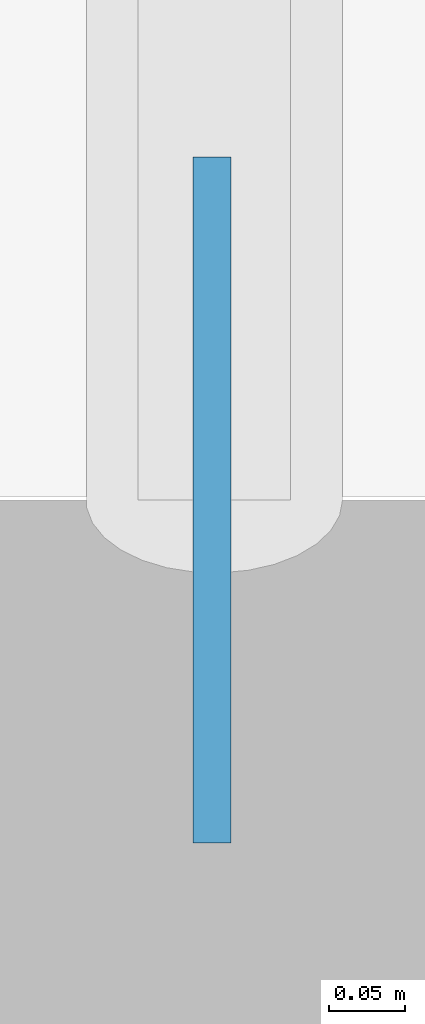
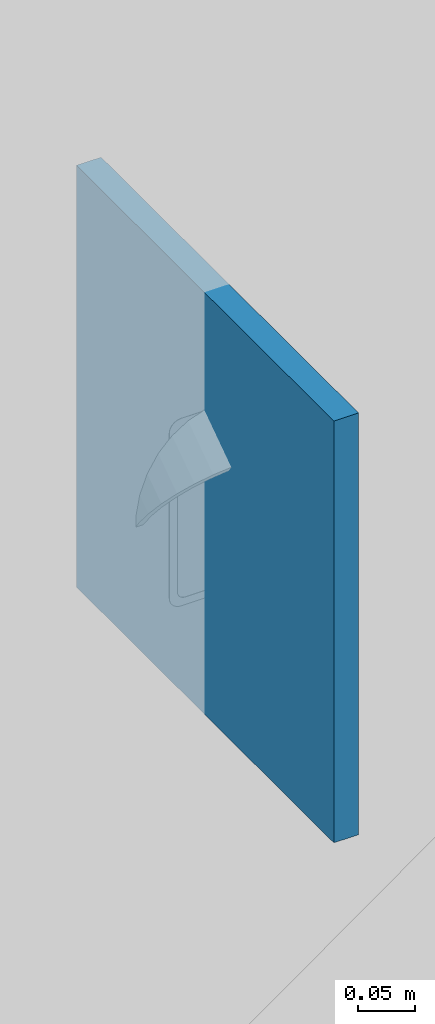
# One storey, part 23 of 40: 1 discrete accessory.
"""IFC4 building model written with IfcOpenShell, lengths in metres."""

import ifcopenshell
import ifcopenshell.guid

model = None  # the IFC model being written
_history = None  # IfcOwnerHistory: only IFC2X3 demands one
_inside = {}  # id of a spatial element -> (the spatial element, [elements in it])
_under = {}  # id of a project, library or spatial element -> (it, [spatial elements below it])
_declared = {}  # id of a project -> (the project, [libraries it declares])
_typed = {}  # id of a type object -> (the type object, [elements of that type])
_made_of = {}  # id of a material, layer set ... -> (it, [elements and type objects made of it])


def new_model(schema):
    """Start an empty IFC model of exactly this schema.

    Asked for "IFC4X3", IfcOpenShell would pick the latest addendum, in which some entities
    have other attributes; the version numbers below select the first issue.
    IFC2X3 requires an IfcOwnerHistory on every rooted entity: one is made here for all.
    """
    global model, _history
    if schema == "IFC4X3":
        model = ifcopenshell.file(schema_version=(4, 3, 0, 0))
    else:
        model = ifcopenshell.file(schema=schema)
    _inside.clear()
    _under.clear()
    _declared.clear()
    _typed.clear()
    _made_of.clear()
    _history = None
    if model.schema == "IFC2X3":
        org = make("IfcOrganization", Name="unknown")
        user = make(
            "IfcPersonAndOrganization",
            ThePerson=make("IfcPerson", FamilyName="unknown"),
            TheOrganization=org,
        )
        app = make(
            "IfcApplication",
            ApplicationDeveloper=org,
            Version="unknown",
            ApplicationFullName="unknown",
            ApplicationIdentifier="unknown",
        )
        _history = make(
            "IfcOwnerHistory",
            OwningUser=user,
            OwningApplication=app,
            ChangeAction="ADDED",
            CreationDate=0,
        )
    return model


def make(cls, **values):
    """One entity of the class cls with the attributes given. An attribute that is None is left unset."""
    return model.create_entity(
        cls, **{name: value for name, value in values.items() if value is not None}
    )


def rooted(cls, **values):
    """An entity with a GlobalId (a new one), such as an element, a storey or a relation."""
    return make(cls, GlobalId=ifcopenshell.guid.new(), OwnerHistory=_history, **values)


def si_unit(unit_type, name, prefix=None):
    """IfcSIUnit, for example si_unit("LENGTHUNIT", "METRE", prefix="MILLI")."""
    return make("IfcSIUnit", UnitType=unit_type, Prefix=prefix, Name=name)


def assignment(units):
    """IfcUnitAssignment: the units of a project."""
    return None if units is None else make("IfcUnitAssignment", Units=units)


def point(xyz):
    """IfcCartesianPoint."""
    return None if xyz is None else make("IfcCartesianPoint", Coordinates=xyz)


def direction(xyz):
    """IfcDirection."""
    return None if xyz is None else make("IfcDirection", DirectionRatios=xyz)


def frame(location, z_axis=None, x_axis=None):
    """IfcAxis2Placement3D, a coordinate frame: its origin and axes. An axis left out is left unset."""
    return make(
        "IfcAxis2Placement3D",
        Location=point(location),
        Axis=direction(z_axis),
        RefDirection=direction(x_axis),
    )


def frame_2d(location, x_axis=None):
    """IfcAxis2Placement2D, a coordinate frame in the plane: its origin and x axis."""
    return make(
        "IfcAxis2Placement2D", Location=point(location), RefDirection=direction(x_axis)
    )


def origin():
    """The frame at (0, 0, 0) with its axes left unset."""
    return frame((0.0, 0.0, 0.0))


def origin_2d():
    """The frame at (0, 0) in the plane with its x axis left unset."""
    return frame_2d((0.0, 0.0))


def place(relative_to, where):
    """IfcLocalPlacement: puts the frame where relative to a parent placement (None: the world)."""
    return make(
        "IfcLocalPlacement", PlacementRelTo=relative_to, RelativePlacement=where
    )


def context(
    kind, dimensions, precision=None, world=None, true_north=None, identifier=None
):
    """IfcGeometricRepresentationContext, for example the 3D "Model" context."""
    return make(
        "IfcGeometricRepresentationContext",
        ContextIdentifier=identifier,
        ContextType=kind,
        CoordinateSpaceDimension=dimensions,
        Precision=precision,
        WorldCoordinateSystem=world,
        TrueNorth=true_north,
    )


def subcontext(parent, identifier, kind, view, scale=None):
    """IfcGeometricRepresentationSubContext, for example "Body" below "Model"."""
    return make(
        "IfcGeometricRepresentationSubContext",
        ContextIdentifier=identifier,
        ContextType=kind,
        ParentContext=parent,
        TargetScale=scale,
        TargetView=view,
    )


def project(units=None, contexts=None):
    """IfcProject with its units and contexts."""
    return rooted(
        "IfcProject",
        Name="project",
        RepresentationContexts=contexts,
        UnitsInContext=assignment(units),
    )


def spatial(cls, under=None, at=None, **own):
    """A site, building, storey or space (cls), placed at a placement, below another one or the project."""
    s = rooted(cls, ObjectPlacement=at, **own)
    if under is not None:
        _under.setdefault(under.id(), (under, []))[1].append(s)
    return s


def profile(cls, at=None, kind="AREA", **sizes):
    """A parametric profile (cls). Its sizes go by their IFC names, for example OverallWidth=200.0."""
    return make(cls, ProfileType=kind, Position=at, **sizes)


def rectangle(**sizes):
    """IfcRectangleProfileDef."""
    return profile("IfcRectangleProfileDef", **sizes)


def extrude(swept, where, along, depth):
    """IfcExtrudedAreaSolid: the profile swept, set in the frame where, extruded along a direction by depth."""
    return make(
        "IfcExtrudedAreaSolid",
        SweptArea=swept,
        Position=where,
        ExtrudedDirection=direction(along),
        Depth=depth,
    )


def shape(context_of_items, identifier, shape_type, items):
    """IfcShapeRepresentation: the items that make up one representation, for example the "Body"."""
    return make(
        "IfcShapeRepresentation",
        ContextOfItems=context_of_items,
        RepresentationIdentifier=identifier,
        RepresentationType=shape_type,
        Items=items,
    )


def material(Name=None, Category=None):
    """IfcMaterial."""
    return make("IfcMaterial", Name=Name, Category=Category)


def made_of(thing, what):
    """Note that an element or type object is made of a material, layer set ...; save() writes the relation."""
    if what is not None:
        _made_of.setdefault(what.id(), (what, []))[1].append(thing)
    return thing


def type_object(cls, material=None, **own):
    """A type object (cls), such as IfcWallType, which elements share."""
    return made_of(rooted(cls, **own), material)


def element(
    cls,
    number,
    at=None,
    inside=None,
    cuts=None,
    type_object=None,
    material=None,
    context=None,
    identifier="Body",
    shape_type=None,
    held_by="IfcProductDefinitionShape",
    body=None,
    shapes=None,
    **own,
):
    """One element of the class cls, such as IfcWall. Its Tag is "e" and its number.

    at: its placement. inside: the storey or other place that contains it. cuts: it is an
    opening in that element (IfcRelVoidsElement). A single representation is given by context,
    identifier, shape_type and body (its items); several are given by shapes. held_by: the class
    of the entity that holds the representations. save() writes the other relations.
    """
    e = rooted(cls, Tag="e%d" % number, ObjectPlacement=at, **own)
    if body is not None:
        shapes = [shape(context, identifier, shape_type, body)]
    if shapes is not None:
        e.Representation = make(held_by, Representations=shapes)
    if inside is not None:
        _inside.setdefault(inside.id(), (inside, []))[1].append(e)
    if cuts is not None:
        rooted(
            "IfcRelVoidsElement", RelatingBuildingElement=cuts, RelatedOpeningElement=e
        )
    if type_object is not None:
        _typed.setdefault(type_object.id(), (type_object, []))[1].append(e)
    return made_of(e, material)


def aggregate(whole, parts):
    """IfcRelAggregates: a whole, such as a stair, and the parts it consists of."""
    return rooted("IfcRelAggregates", RelatingObject=whole, RelatedObjects=parts)


def save(model, path):
    """Write the relations noted so far, then the file.

    IfcRelAggregates (storeys below a building ...), IfcRelContainedInSpatialStructure (elements
    in a storey), IfcRelDefinesByType, IfcRelAssociatesMaterial and IfcRelDeclares: one each for
    every whole, place, type object, material and project.
    """
    for whole, parts in _under.values():
        aggregate(whole, parts)
    for where, things in _inside.values():
        rooted(
            "IfcRelContainedInSpatialStructure",
            RelatedElements=things,
            RelatingStructure=where,
        )
    for kind, things in _typed.values():
        rooted("IfcRelDefinesByType", RelatedObjects=things, RelatingType=kind)
    for what, things in _made_of.values():
        rooted("IfcRelAssociatesMaterial", RelatedObjects=things, RelatingMaterial=what)
    for by, libraries in _declared.values():
        rooted("IfcRelDeclares", RelatingContext=by, RelatedDefinitions=libraries)
    model.write(path)


model = new_model("IFC4")

# Units and contexts
model_context = context("Model", 3, precision=1e-05, world=origin(), true_north=direction((0.0, 1.0)))
body_context = subcontext(model_context, "Body", "Model", "MODEL_VIEW")
ifc_project = project(units=[si_unit("LENGTHUNIT", "METRE"), si_unit("AREAUNIT", "SQUARE_METRE"), si_unit("VOLUMEUNIT", "CUBIC_METRE"), si_unit("PLANEANGLEUNIT", "RADIAN"), si_unit("MASSUNIT", "GRAM", prefix="KILO")], contexts=[model_context])

# Site, building, storey
site_placement = place(None, origin())
site = spatial("IfcSite", under=ifc_project, at=site_placement, CompositionType="ELEMENT")
building_placement = place(site_placement, origin())
building = spatial("IfcBuilding", under=site, at=building_placement, Name="Taillehof Tower", CompositionType="ELEMENT")
storey_placement = place(building_placement, frame((0.0, 0.0, 275.199951171875)))
storey = spatial("IfcBuildingStorey", under=building, at=storey_placement, Name="L77", CompositionType="ELEMENT", Elevation=275.199951171875)

# Discrete accessory
ifc_material = material(Name="Steel S460M", Category="steel")
discrete_accessory_type = type_object("IfcDiscreteAccessoryType", Name="Steel gusset plate", PredefinedType="BRACKET", material=ifc_material)
discrete_accessory_placement = place(storey_placement, frame((6.10009765625, 10.0, 3.5751953125), z_axis=(0.0, 0.0, 1.0), x_axis=(0.0, -1.0, 0.0)))
element("IfcDiscreteAccessory", 1, at=discrete_accessory_placement, inside=storey, type_object=discrete_accessory_type, Name="Gusset plate 387", PredefinedType="BRACKET", context=body_context, shape_type="SweptSolid", body=[
    extrude(rectangle(XDim=0.449951171875, YDim=0.02490234375, at=origin_2d()), origin(), (0.0, 0.0, 1.0), 0.449951171875),
])

save(model, "model.ifc")
